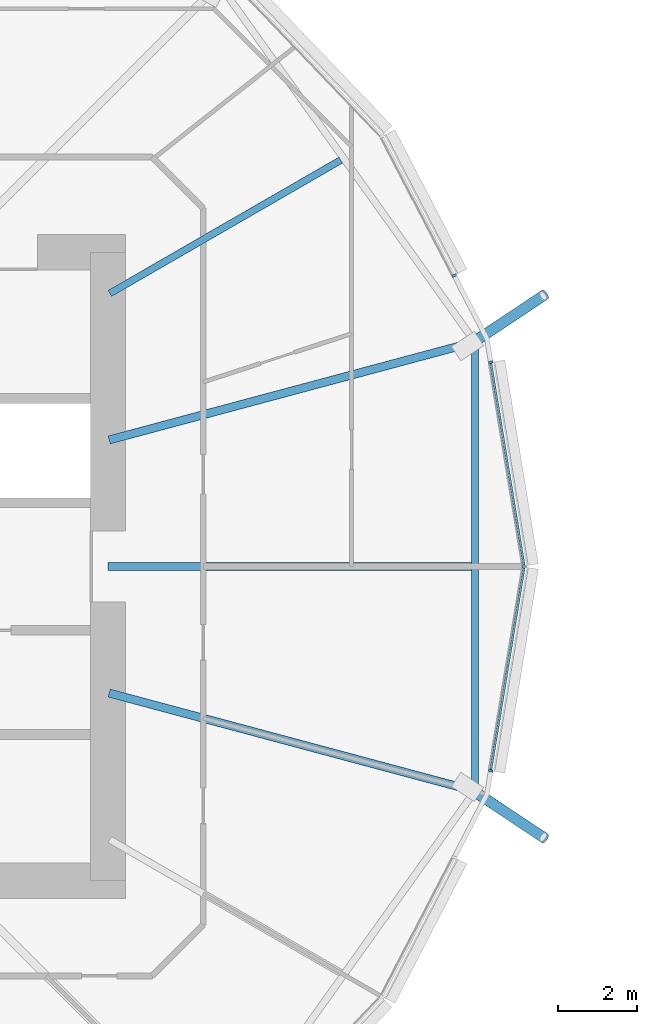
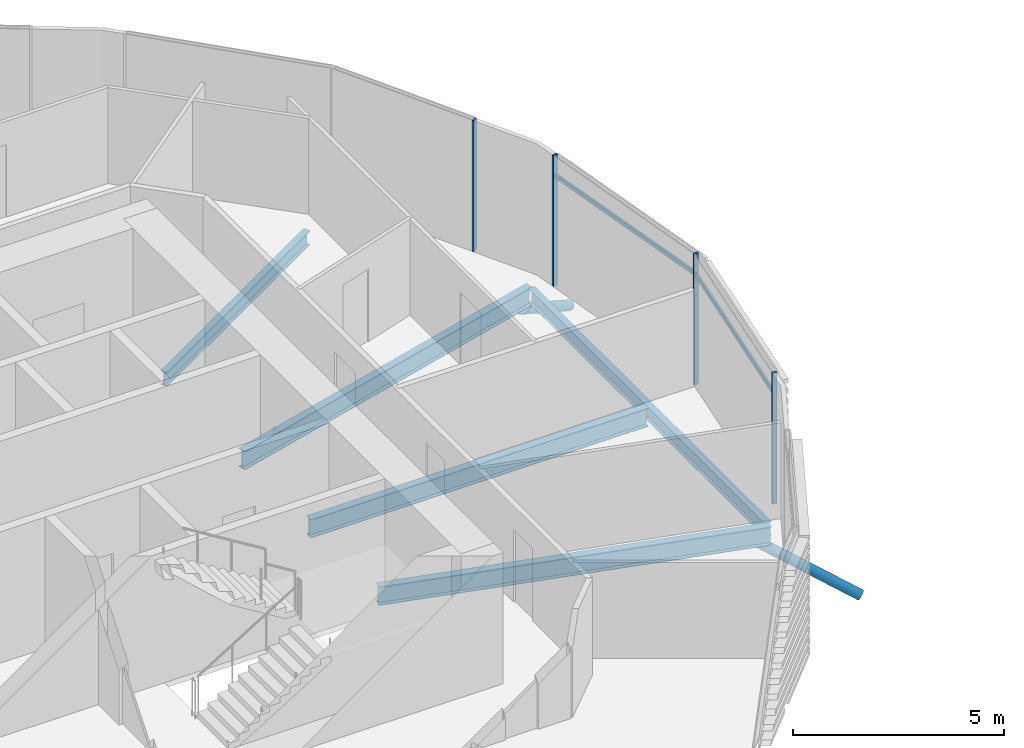
# One storey, part 8 of 37: 8 members, 5 beams, 1 element without a shape of its own.
"""IFC4 building model written with IfcOpenShell, lengths in metres."""

from ifc_helpers import new_model, si_unit, direction, frame, origin, origin_2d, place, context, subcontext, project, spatial, rectangle, hollow_circle, i_section, extrude, clip, halfspace, material, material_profile, profile_set, type_object, element, aggregate, save


model = new_model("IFC4")

# Units and contexts
model_context = context("Model", 3, precision=1e-05, world=origin(), true_north=direction((0.0, 1.0)))
body_context = subcontext(model_context, "Body", "Model", "MODEL_VIEW")
ifc_project = project(units=[si_unit("LENGTHUNIT", "METRE"), si_unit("AREAUNIT", "SQUARE_METRE"), si_unit("VOLUMEUNIT", "CUBIC_METRE"), si_unit("PLANEANGLEUNIT", "RADIAN"), si_unit("MASSUNIT", "GRAM", prefix="KILO")], contexts=[model_context])

# Site, building, storey
site_placement = place(None, origin())
site = spatial("IfcSite", under=ifc_project, at=site_placement, CompositionType="ELEMENT")
building_placement = place(site_placement, origin())
building = spatial("IfcBuilding", under=site, at=building_placement, Name="Rimbun Link Towers", CompositionType="ELEMENT")
storey_placement = place(building_placement, frame((0.0, 0.0, 45.199951171875)))
storey = spatial("IfcBuildingStorey", under=building, at=storey_placement, Name="L10", CompositionType="ELEMENT", Elevation=45.199951171875)

# Curtain wall, members
ifc_material_1 = material(Name="Aluminium 6063-T6 and low-iron glass", Category="aluminium")
curtain_wall_type = type_object("IfcCurtainWallType", Name="CW1 unitised vision wall", PredefinedType="NOTDEFINED", material=ifc_material_1)
curtain_wall_placement = place(storey_placement, origin())
curtain_wall = element("IfcCurtainWall", 1, at=curtain_wall_placement, inside=storey, type_object=curtain_wall_type, Name="CW1 L10 T1", PredefinedType="NOTDEFINED")
ifc_material_2 = material(Name="Aluminium 6063-T6", Category="aluminium")
ifc_material_profile_1 = material_profile(ifc_material_2, rectangle(XDim=0.1201171875, YDim=0.06005859375, at=origin_2d()), Name="MULLION 60X120")
ifc_profile_set_1 = profile_set([ifc_material_profile_1], Name="Aluminium 6063-T6")
member_type_1 = type_object("IfcMemberType", Name="CW1 mullion 60X120", PredefinedType="MULLION", material=ifc_profile_set_1)
member_1_placement = place(storey_placement, frame((-10.0029296875, 5.202880859375, 0.0), z_axis=(0.0, 0.0, 1.0), x_axis=(0.986748402691, 0.162257788061, 0.0)))
member_1 = element("IfcMember", 2, at=member_1_placement, type_object=member_type_1, Name="CW1 mullion", PredefinedType="MULLION", context=body_context, shape_type="SweptSolid", body=[
    extrude(rectangle(XDim=0.1201171875, YDim=0.06005859375, at=origin_2d()), origin(), (0.0, 0.0, 1.0), 3.800048828125),
])
member_2_placement = place(storey_placement, frame((-9.148193359375, 0.0, 0.0), z_axis=(0.0, 0.0, 1.0), x_axis=(1.0, 0.0, 0.0)))
member_2 = element("IfcMember", 3, at=member_2_placement, type_object=member_type_1, Name="CW1 mullion", PredefinedType="MULLION", context=body_context, shape_type="SweptSolid", body=[
    extrude(rectangle(XDim=0.1201171875, YDim=0.06005859375, at=origin_2d()), origin(), (0.0, 0.0, 1.0), 3.800048828125),
])
member_3_placement = place(storey_placement, frame((-10.933349609375, 7.411376953125, 0.0), z_axis=(0.0, 0.0, 1.0), x_axis=(0.888149357416, 0.459554913934, 0.0)))
member_3 = element("IfcMember", 4, at=member_3_placement, type_object=member_type_1, Name="CW1 mullion", PredefinedType="MULLION", context=body_context, shape_type="SweptSolid", body=[
    extrude(rectangle(XDim=0.1201171875, YDim=0.06005859375, at=origin_2d()), origin(), (0.0, 0.0, 1.0), 3.800048828125),
])
member_4_placement = place(storey_placement, frame((-10.0029296875, -5.202880859375, 0.0), z_axis=(0.0, 0.0, 1.0), x_axis=(0.986748402691, -0.162257788061, 0.0)))
member_4 = element("IfcMember", 5, at=member_4_placement, type_object=member_type_1, Name="CW1 mullion", PredefinedType="MULLION", context=body_context, shape_type="SweptSolid", body=[
    extrude(rectangle(XDim=0.1201171875, YDim=0.06005859375, at=origin_2d()), origin(), (0.0, 0.0, 1.0), 3.800048828125),
])
ifc_material_3 = material(Name="Aluminium 6063-T6", Category="aluminium")
ifc_material_profile_2 = material_profile(ifc_material_3, rectangle(XDim=0.06005859375, YDim=0.1201171875, at=origin_2d()), Name="TRANSOM 60X120")
ifc_profile_set_2 = profile_set([ifc_material_profile_2], Name="Aluminium 6063-T6")
member_type_2 = type_object("IfcMemberType", Name="CW1 transom 60X120", PredefinedType="USERDEFINED", material=ifc_profile_set_2)
member_5_placement = place(storey_placement, frame((-10.0, 5.1728515625, 3.199951171875), z_axis=(0.162267938212, -0.986746733579, 0.0), x_axis=(0.986746733579, 0.162267938212, 0.0)))
member_5 = element("IfcMember", 6, at=member_5_placement, type_object=member_type_2, Name="CW1 transom", ObjectType="TRANSOM", PredefinedType="USERDEFINED", context=body_context, shape_type="SweptSolid", body=[
    extrude(rectangle(XDim=0.06005859375, YDim=0.1201171875, at=origin_2d()), origin(), (0.0, 0.0, 1.0), 5.20263671875),
])
member_6_placement = place(storey_placement, frame((-9.15576171875, -0.0390625, 3.199951171875), z_axis=(-0.162267938212, -0.986746733579, 0.0), x_axis=(0.986746733579, -0.162267938212, 0.0)))
member_6 = element("IfcMember", 7, at=member_6_placement, type_object=member_type_2, Name="CW1 transom", ObjectType="TRANSOM", PredefinedType="USERDEFINED", context=body_context, shape_type="SweptSolid", body=[
    extrude(rectangle(XDim=0.06005859375, YDim=0.1201171875, at=origin_2d()), origin(), (0.0, 0.0, 1.0), 5.20263671875),
])
aggregate(curtain_wall, [member_1, member_2, member_3, member_4, member_5, member_6])

# Members
ifc_material_4 = material(Name="Steel S355J2H", Category="steel")
ifc_material_profile_3 = material_profile(ifc_material_4, hollow_circle(Radius=0.136474609375, WallThickness=0.012451171875, at=origin_2d()), Name="CHS 273x12.5")
ifc_profile_set_3 = profile_set([ifc_material_profile_3], Name="Steel S355J2H")
member_type_3 = type_object("IfcMemberType", Name="Floor edge link CHS 273x12.5", PredefinedType="BRACE", material=ifc_profile_set_3)
for number, where, z_axis, x_axis, name in (
    (8, (-10.455078125, 5.7060546875, -0.810546875), (0.718671828953, 0.477065138695, -0.505885022225), (-0.553054290301, 0.833145216622, 0.0), "Floor edge link T1 L10 01"),
    (9, (-10.455078125, -5.7060546875, -0.810546875), (0.718671828953, -0.477065138695, -0.505885022225), (0.553054290301, 0.833145216622, 0.0), "Floor edge link T1 L10 23"),
):
    element("IfcMember", number, at=place(storey_placement, frame(where, z_axis=z_axis, x_axis=x_axis)), inside=storey, type_object=member_type_3, Name=name, PredefinedType="BRACE", context=body_context, shape_type="Clipping", body=[
        clip(extrude(hollow_circle(Radius=0.136474609375, WallThickness=0.012451171875, at=origin_2d()), frame((0.0, 0.0, -0.485107421875)), (0.0, 0.0, 1.0), 3.026611328125), halfspace(frame((0.0, 0.0, -0.228271484375), z_axis=(0.0, 0.862600918321, -0.505885022225)), False)),
    ])

# Beams
ifc_material_5 = material(Name="Steel S355J2", Category="steel")
ifc_material_profile_4 = material_profile(ifc_material_5, i_section(OverallWidth=0.177978515625, OverallDepth=0.406494140625, WebThickness=0.0078125, FlangeThickness=0.0126953125, at=origin_2d()), Name="UB 406x178x60")
ifc_profile_set_4 = profile_set([ifc_material_profile_4], Name="Steel S355J2")
beam_type_1 = type_object("IfcBeamType", Name="UB 406x178x60", PredefinedType="BEAM", material=ifc_profile_set_4)
beam_1_placement = place(storey_placement, frame((-19.70458984375, 6.954345703125, -0.363037109375), z_axis=(0.866019088595, 0.50001093807, 0.0), x_axis=(-0.50001093807, 0.866019088595, 0.0)))
element("IfcBeam", 10, at=beam_1_placement, inside=storey, type_object=beam_type_1, Name="Radial beam T1 L10 02", PredefinedType="BEAM", context=body_context, shape_type="SweptSolid", body=[
    extrude(i_section(OverallWidth=0.177978515625, OverallDepth=0.406494140625, WebThickness=0.0078125, FlangeThickness=0.0126953125, at=origin_2d()), origin(), (0.0, 0.0, 1.0), 6.788330078125),
])
beam_2_placement = place(storey_placement, frame((-10.40673828125, -5.609619140625, -0.363037109375), z_axis=(0.0, 1.0, 0.0), x_axis=(-1.0, 0.0, 0.0)))
element("IfcBeam", 11, at=beam_2_placement, inside=storey, type_object=beam_type_1, Name="Edge beam T1 L10 23-01", PredefinedType="BEAM", context=body_context, shape_type="SweptSolid", body=[
    extrude(i_section(OverallWidth=0.177978515625, OverallDepth=0.406494140625, WebThickness=0.0078125, FlangeThickness=0.0126953125, at=origin_2d()), origin(), (0.0, 0.0, 1.0), 11.21923828125),
])
ifc_material_6 = material(Name="Steel S355J2", Category="steel")
ifc_material_profile_5 = material_profile(ifc_material_6, i_section(OverallWidth=0.209228515625, OverallDepth=0.533203125, WebThickness=0.010009765625, FlangeThickness=0.015625, at=origin_2d()), Name="UB 533x210x92")
ifc_profile_set_5 = profile_set([ifc_material_profile_5], Name="Steel S355J2")
beam_type_2 = type_object("IfcBeamType", Name="UB 533x210x92", PredefinedType="BEAM", material=ifc_profile_set_5)
beam_3_placement = place(storey_placement, frame((-19.7490234375, 0.0, -0.426513671875), z_axis=(1.0, 0.0, 0.0), x_axis=(0.0, 1.0, 0.0)))
element("IfcBeam", 12, at=beam_3_placement, inside=storey, type_object=beam_type_2, Name="Radial beam T1 L10 00", PredefinedType="BEAM", context=body_context, shape_type="SweptSolid", body=[
    extrude(i_section(OverallWidth=0.209228515625, OverallDepth=0.533203125, WebThickness=0.010009765625, FlangeThickness=0.015625, at=origin_2d()), origin(), (0.0, 0.0, 1.0), 9.25244140625),
])
for number, where, z_axis, x_axis, name in (
    (13, (-19.721923828125, 3.222900390625, -0.426513671875), (0.965923303762, 0.258828459118, 0.0), (-0.258828459118, 0.965923303762, 0.0), "Radial beam T1 L10 01"),
    (14, (-19.721923828125, -3.222900390625, -0.426513671875), (0.965923303762, -0.258828459118, 0.0), (0.258828459118, 0.965923303762, 0.0), "Radial beam T1 L10 23"),
):
    element("IfcBeam", number, at=place(storey_placement, frame(where, z_axis=z_axis, x_axis=x_axis)), inside=storey, type_object=beam_type_2, Name=name, PredefinedType="BEAM", context=body_context, shape_type="SweptSolid", body=[
        extrude(i_section(OverallWidth=0.209228515625, OverallDepth=0.533203125, WebThickness=0.010009765625, FlangeThickness=0.015625, at=origin_2d()), origin(), (0.0, 0.0, 1.0), 9.643798828125),
    ])

save(model, "model.ifc")
